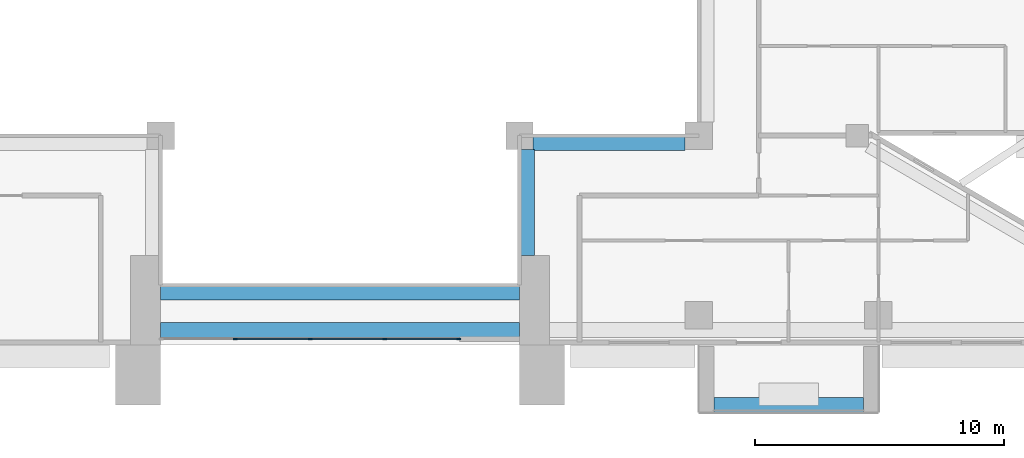
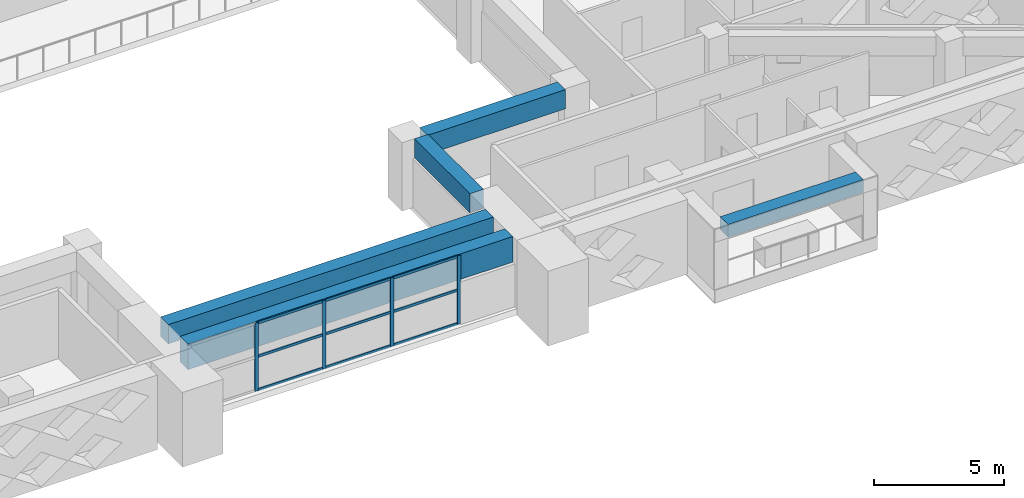
# One storey, part 4 of 19: 13 members, 5 beams, 1 element without a shape of its own.
"""IFC4 building model written with IfcOpenShell, lengths in metres."""

from ifc_helpers import new_model, si_unit, direction, frame, origin, origin_2d, place, context, subcontext, project, spatial, rectangle, extrude, source, transform, mapped, material, layer, layer_set, material_profile, profile_set, type_object, element, aggregate, save


model = new_model("IFC4")

# Units and contexts
model_context = context("Model", 3, precision=1e-05, world=origin(), true_north=direction((0.0, 1.0)))
body_context = subcontext(model_context, "Body", "Model", "MODEL_VIEW")
ifc_project = project(units=[si_unit("LENGTHUNIT", "METRE"), si_unit("AREAUNIT", "SQUARE_METRE"), si_unit("VOLUMEUNIT", "CUBIC_METRE"), si_unit("PLANEANGLEUNIT", "RADIAN"), si_unit("MASSUNIT", "GRAM", prefix="KILO")], contexts=[model_context])

# Site, building, storey
site_placement = place(None, origin())
site = spatial("IfcSite", under=ifc_project, at=site_placement, CompositionType="ELEMENT")
building_placement = place(site_placement, origin())
building = spatial("IfcBuilding", under=site, at=building_placement, Name="Saffron Iwan Residences", CompositionType="ELEMENT")
storey_placement = place(building_placement, frame((0.0, 0.0, 116.5)))
storey = spatial("IfcBuildingStorey", under=building, at=storey_placement, Name="L30", CompositionType="ELEMENT", Elevation=116.5)

# Beams
ifc_material_1 = material(Name="Concrete C50/60", Category="concrete")
ifc_material_profile_1 = material_profile(ifc_material_1, rectangle(XDim=0.60009765625, YDim=1.199951171875, at=origin_2d()), Name="RC 600x1200")
ifc_profile_set_1 = profile_set([ifc_material_profile_1], Name="Concrete C50/60")
beam_type_1 = type_object("IfcBeamType", Name="LINTEL BEAM RC 600x1200 C50/60 TOP 3200", PredefinedType="LINTEL", material=ifc_profile_set_1)
shared_shape_1 = source(origin(), body_context, "Body", "SweptSolid", [
    extrude(rectangle(XDim=0.60009765625, YDim=1.199951171875, at=origin_2d()), origin(), (0.0, 0.0, 1.0), 14.400146484375),
])
beam_1_placement = place(storey_placement, frame((57.60009765625, 40.199951171875, 2.60009765625), z_axis=(-1.0, 0.0, 0.0), x_axis=(0.0, -1.0, 0.0)))
element("IfcBeam", 1, at=beam_1_placement, inside=storey, type_object=beam_type_1, Name="Lintel beam over the iwan", PredefinedType="LINTEL", context=body_context, shape_type="MappedRepresentation", body=[
    mapped(shared_shape_1, transform((0.0, 0.0, 0.0))),
])
ifc_material_profile_2 = material_profile(ifc_material_1, rectangle(XDim=0.60009765625, YDim=0.89990234375, at=origin_2d()), Name="RC 600x900")
ifc_profile_set_2 = profile_set([ifc_material_profile_2], Name="Concrete C50/60")
beam_type_2 = type_object("IfcBeamType", Name="BEAM RC 600x900 C50/60 TOP 3200", PredefinedType="BEAM", material=ifc_profile_set_2)
shared_shape_2 = source(origin(), body_context, "Body", "SweptSolid", [
    extrude(rectangle(XDim=0.60009765625, YDim=0.89990234375, at=origin_2d()), origin(), (0.0, 0.0, 1.0), 14.400146484375),
])
beam_2_placement = place(storey_placement, frame((57.60009765625, 41.699951171875, 2.75), z_axis=(-1.0, 0.0, 0.0), x_axis=(0.0, -1.0, 0.0)))
element("IfcBeam", 2, at=beam_2_placement, inside=storey, type_object=beam_type_2, Name="Atrium edge beam", PredefinedType="BEAM", context=body_context, shape_type="MappedRepresentation", body=[
    mapped(shared_shape_2, transform((0.0, 0.0, 0.0))),
])
shared_shape_3 = source(origin(), body_context, "Body", "SweptSolid", [
    extrude(rectangle(XDim=0.60009765625, YDim=0.89990234375, at=origin_2d()), origin(), (0.0, 0.0, 1.0), 4.25),
])
beam_3_placement = place(storey_placement, frame((57.89990234375, 47.449951171875, 2.75), z_axis=(0.0, -1.0, 0.0), x_axis=(1.0, 0.0, 0.0)))
element("IfcBeam", 3, at=beam_3_placement, inside=storey, type_object=beam_type_2, Name="Atrium edge beam", PredefinedType="BEAM", context=body_context, shape_type="MappedRepresentation", body=[
    mapped(shared_shape_3, transform((0.0, 0.0, 0.0))),
])
shared_shape_4 = source(origin(), body_context, "Body", "SweptSolid", [
    extrude(rectangle(XDim=0.60009765625, YDim=0.89990234375, at=origin_2d()), origin(), (0.0, 0.0, 1.0), 6.10009765625),
])
beam_4_placement = place(storey_placement, frame((64.25, 47.699951171875, 2.75), z_axis=(-1.0, 0.0, 0.0), x_axis=(0.0, -1.0, 0.0)))
element("IfcBeam", 4, at=beam_4_placement, inside=storey, type_object=beam_type_2, Name="Atrium edge beam", PredefinedType="BEAM", context=body_context, shape_type="MappedRepresentation", body=[
    mapped(shared_shape_4, transform((0.0, 0.0, 0.0))),
])

# Curtain wall, members
ifc_material_2 = material(Name="Clear glass, laminated double glazed", Category="glass")
ifc_layer = layer(ifc_material_2, 0.199951171875)
ifc_layer_set = layer_set([ifc_layer], Name="Clear glass, laminated double glazed")
curtain_wall_type = type_object("IfcCurtainWallType", Name="CW-B IWAN PORTAL", PredefinedType="NOTDEFINED", material=ifc_layer_set)
curtain_wall_placement = place(storey_placement, origin())
curtain_wall = element("IfcCurtainWall", 5, at=curtain_wall_placement, inside=storey, type_object=curtain_wall_type, Name="Iwan portal glazing L30.1", PredefinedType="NOTDEFINED")
ifc_material_3 = material(Name="Aluminium 6063-T6", Category="aluminium")
ifc_material_profile_3 = material_profile(ifc_material_3, rectangle(XDim=0.06005859375, YDim=0.1201171875, at=origin_2d()), Name="CW-B TRANSOM 60 x 120")
ifc_profile_set_3 = profile_set([ifc_material_profile_3], Name="Aluminium 6063-T6")
member_type_1 = type_object("IfcMemberType", Name="CW-B TRANSOM 60 x 120", PredefinedType="USERDEFINED", material=ifc_profile_set_3)
shared_shape_5 = source(origin(), body_context, "Body", "SweptSolid", [
    extrude(rectangle(XDim=0.06005859375, YDim=0.1201171875, at=origin_2d()), origin(), (0.0, 0.0, 1.0), 2.909912109375),
])
member_1_placement = place(storey_placement, frame((52.22998046875, 39.85009765625, 0.030029296875), z_axis=(1.0, 0.0, 0.0), x_axis=(0.0, 1.0, 0.0)))
member_1 = element("IfcMember", 6, at=member_1_placement, type_object=member_type_1, Name="CW-B transom 4.1", ObjectType="TRANSOM", PredefinedType="USERDEFINED", context=body_context, shape_type="MappedRepresentation", body=[
    mapped(shared_shape_5, transform((0.0, 0.0, 0.0))),
])
member_2_placement = place(storey_placement, frame((52.22998046875, 39.85009765625, 1.60009765625), z_axis=(1.0, 0.0, 0.0), x_axis=(0.0, 1.0, 0.0)))
member_2 = element("IfcMember", 7, at=member_2_placement, type_object=member_type_1, Name="CW-B transom 4.2", ObjectType="TRANSOM", PredefinedType="USERDEFINED", context=body_context, shape_type="MappedRepresentation", body=[
    mapped(shared_shape_5, transform((0.0, 0.0, 0.0))),
])
member_3_placement = place(storey_placement, frame((52.22998046875, 39.85009765625, 3.169921875), z_axis=(1.0, 0.0, 0.0), x_axis=(0.0, 1.0, 0.0)))
member_3 = element("IfcMember", 8, at=member_3_placement, type_object=member_type_1, Name="CW-B transom 4.3", ObjectType="TRANSOM", PredefinedType="USERDEFINED", context=body_context, shape_type="MappedRepresentation", body=[
    mapped(shared_shape_5, transform((0.0, 0.0, 0.0))),
])
shared_shape_6 = source(origin(), body_context, "Body", "SweptSolid", [
    extrude(rectangle(XDim=0.06005859375, YDim=0.1201171875, at=origin_2d()), origin(), (0.0, 0.0, 1.0), 2.93994140625),
])
member_4_placement = place(storey_placement, frame((46.22998046875, 39.85009765625, 0.030029296875), z_axis=(1.0, 0.0, 0.0), x_axis=(0.0, 1.0, 0.0)))
member_4 = element("IfcMember", 9, at=member_4_placement, type_object=member_type_1, Name="CW-B transom 2.1", ObjectType="TRANSOM", PredefinedType="USERDEFINED", context=body_context, shape_type="MappedRepresentation", body=[
    mapped(shared_shape_6, transform((0.0, 0.0, 0.0))),
])
member_5_placement = place(storey_placement, frame((46.22998046875, 39.85009765625, 1.60009765625), z_axis=(1.0, 0.0, 0.0), x_axis=(0.0, 1.0, 0.0)))
member_5 = element("IfcMember", 10, at=member_5_placement, type_object=member_type_1, Name="CW-B transom 2.2", ObjectType="TRANSOM", PredefinedType="USERDEFINED", context=body_context, shape_type="MappedRepresentation", body=[
    mapped(shared_shape_6, transform((0.0, 0.0, 0.0))),
])
member_6_placement = place(storey_placement, frame((46.22998046875, 39.85009765625, 3.169921875), z_axis=(1.0, 0.0, 0.0), x_axis=(0.0, 1.0, 0.0)))
member_6 = element("IfcMember", 11, at=member_6_placement, type_object=member_type_1, Name="CW-B transom 2.3", ObjectType="TRANSOM", PredefinedType="USERDEFINED", context=body_context, shape_type="MappedRepresentation", body=[
    mapped(shared_shape_6, transform((0.0, 0.0, 0.0))),
])
member_7_placement = place(storey_placement, frame((49.22998046875, 39.85009765625, 0.030029296875), z_axis=(1.0, 0.0, 0.0), x_axis=(0.0, 1.0, 0.0)))
member_7 = element("IfcMember", 12, at=member_7_placement, type_object=member_type_1, Name="CW-B transom 3.1", ObjectType="TRANSOM", PredefinedType="USERDEFINED", context=body_context, shape_type="MappedRepresentation", body=[
    mapped(shared_shape_6, transform((0.0, 0.0, 0.0))),
])
member_8_placement = place(storey_placement, frame((49.22998046875, 39.85009765625, 1.60009765625), z_axis=(1.0, 0.0, 0.0), x_axis=(0.0, 1.0, 0.0)))
member_8 = element("IfcMember", 13, at=member_8_placement, type_object=member_type_1, Name="CW-B transom 3.2", ObjectType="TRANSOM", PredefinedType="USERDEFINED", context=body_context, shape_type="MappedRepresentation", body=[
    mapped(shared_shape_6, transform((0.0, 0.0, 0.0))),
])
member_9_placement = place(storey_placement, frame((49.22998046875, 39.85009765625, 3.169921875), z_axis=(1.0, 0.0, 0.0), x_axis=(0.0, 1.0, 0.0)))
member_9 = element("IfcMember", 14, at=member_9_placement, type_object=member_type_1, Name="CW-B transom 3.3", ObjectType="TRANSOM", PredefinedType="USERDEFINED", context=body_context, shape_type="MappedRepresentation", body=[
    mapped(shared_shape_6, transform((0.0, 0.0, 0.0))),
])

# Beam
ifc_material_4 = material(Name="Concrete C50/60 white painted", Category="concrete")
ifc_material_profile_4 = material_profile(ifc_material_4, rectangle(XDim=0.60009765625, YDim=0.60009765625, at=origin_2d()), Name="BALCONY FASCIA BEAM 600 x 600")
ifc_profile_set_4 = profile_set([ifc_material_profile_4], Name="Concrete C50/60 white painted")
beam_type_3 = type_object("IfcBeamType", Name="BALCONY FASCIA BEAM 600 x 600", PredefinedType="BEAM", material=ifc_profile_set_4)
shared_shape_7 = source(origin(), body_context, "Body", "SweptSolid", [
    extrude(rectangle(XDim=0.60009765625, YDim=0.60009765625, at=origin_2d()), origin(), (0.0, 0.0, 1.0), 6.0),
])
beam_5_placement = place(storey_placement, frame((65.39990234375, 37.199951171875, 2.550048828125), z_axis=(1.0, 0.0, 0.0), x_axis=(0.0, 1.0, 0.0)))
element("IfcBeam", 15, at=beam_5_placement, inside=storey, type_object=beam_type_3, Name="Balcony fascia beam L30 11-1", PredefinedType="BEAM", context=body_context, shape_type="MappedRepresentation", body=[
    mapped(shared_shape_7, transform((0.0, 0.0, 0.0))),
])

# Member
ifc_material_profile_5 = material_profile(ifc_material_3, rectangle(XDim=0.06005859375, YDim=0.159912109375, at=origin_2d()), Name="CW-B MULLION 60 x 160")
ifc_profile_set_5 = profile_set([ifc_material_profile_5], Name="Aluminium 6063-T6")
member_type_2 = type_object("IfcMemberType", Name="CW-B MULLION 60 x 160", PredefinedType="MULLION", material=ifc_profile_set_5)
shared_shape_8 = source(origin(), body_context, "Body", "SweptSolid", [
    extrude(rectangle(XDim=0.06005859375, YDim=0.159912109375, at=origin_2d()), origin(), (0.0, 0.0, 1.0), 3.199951171875),
])
member_10_placement = place(storey_placement, frame((46.199951171875, 39.85009765625, 0.0), z_axis=(0.0, 0.0, 1.0), x_axis=(0.0, 1.0, 0.0)))
member_10 = element("IfcMember", 16, at=member_10_placement, type_object=member_type_2, Name="CW-B mullion 2", PredefinedType="MULLION", context=body_context, shape_type="MappedRepresentation", body=[
    mapped(shared_shape_8, transform((0.0, 0.0, 0.0))),
])

member_11_placement = place(storey_placement, frame((49.199951171875, 39.85009765625, 0.0), z_axis=(0.0, 0.0, 1.0), x_axis=(0.0, 1.0, 0.0)))
member_11 = element("IfcMember", 17, at=member_11_placement, type_object=member_type_2, Name="CW-B mullion 3", PredefinedType="MULLION", context=body_context, shape_type="MappedRepresentation", body=[
    mapped(shared_shape_8, transform((0.0, 0.0, 0.0))),
])

member_12_placement = place(storey_placement, frame((52.199951171875, 39.85009765625, 0.0), z_axis=(0.0, 0.0, 1.0), x_axis=(0.0, 1.0, 0.0)))
member_12 = element("IfcMember", 18, at=member_12_placement, type_object=member_type_2, Name="CW-B mullion 4", PredefinedType="MULLION", context=body_context, shape_type="MappedRepresentation", body=[
    mapped(shared_shape_8, transform((0.0, 0.0, 0.0))),
])

member_13_placement = place(storey_placement, frame((55.169921875, 39.85009765625, 0.0), z_axis=(0.0, 0.0, 1.0), x_axis=(0.0, 1.0, 0.0)))
member_13 = element("IfcMember", 19, at=member_13_placement, type_object=member_type_2, Name="CW-B mullion 5", PredefinedType="MULLION", context=body_context, shape_type="MappedRepresentation", body=[
    mapped(shared_shape_8, transform((0.0, 0.0, 0.0))),
])

aggregate(curtain_wall, [member_10, member_11, member_12, member_13, member_4, member_5, member_6, member_7, member_8, member_9, member_1, member_2, member_3])

save(model, "model.ifc")
